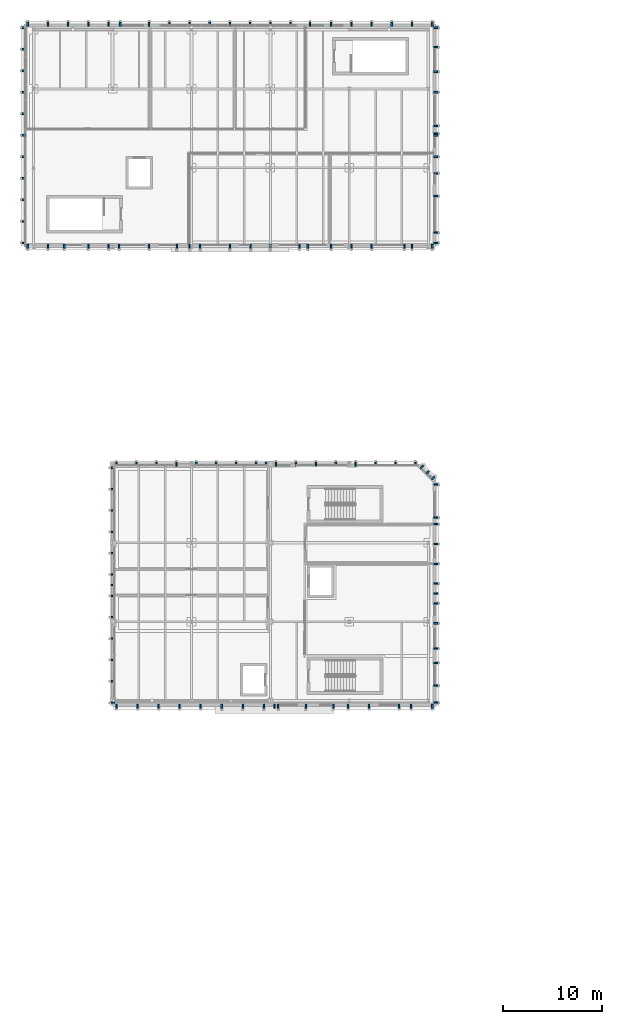
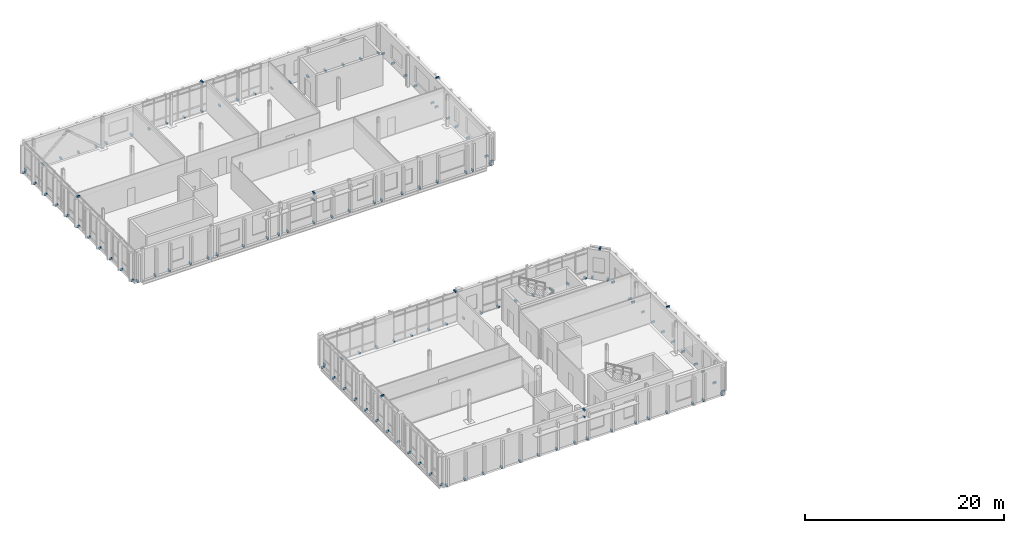
# One storey, part 32 of 40: 133 discrete accessories.
"""IFC4 building model written with IfcOpenShell, lengths in metres."""

from ifc_helpers import new_model, si_unit, direction, frame, origin, origin_2d, place, context, subcontext, project, spatial, rectangle, extrude, material, type_object, element, save


model = new_model("IFC4")

# Units and contexts
model_context = context("Model", 3, precision=1e-05, world=origin(), true_north=direction((0.0, 1.0)))
body_context = subcontext(model_context, "Body", "Model", "MODEL_VIEW")
ifc_project = project(units=[si_unit("LENGTHUNIT", "METRE"), si_unit("AREAUNIT", "SQUARE_METRE"), si_unit("VOLUMEUNIT", "CUBIC_METRE"), si_unit("PLANEANGLEUNIT", "RADIAN"), si_unit("MASSUNIT", "GRAM", prefix="KILO")], contexts=[model_context])

# Site, building, storey
site_placement = place(None, origin())
site = spatial("IfcSite", under=ifc_project, at=site_placement, CompositionType="ELEMENT")
building_placement = place(site_placement, origin())
building = spatial("IfcBuilding", under=site, at=building_placement, Name="Cymarion Research Institute", CompositionType="ELEMENT")
storey_placement = place(building_placement, frame((0.0, 0.0, 26.699951171875)))
storey = spatial("IfcBuildingStorey", under=building, at=storey_placement, Name="L06", CompositionType="ELEMENT", Elevation=26.699951171875)

# Discrete accessories
ifc_material = material(Name="Steel S355", Category="steel")
discrete_accessory_type = type_object("IfcDiscreteAccessoryType", Name="STAINLESS STEEL FACADE FIN BRACKET FBK1", PredefinedType="BRACKET", material=ifc_material)
discrete_accessory_1_placement = place(storey_placement, frame((31.0, 46.93994140625, 3.60009765625), z_axis=(0.0, 0.0, 1.0), x_axis=(0.0, -1.0, 0.0)))
element("IfcDiscreteAccessory", 1, at=discrete_accessory_1_placement, inside=storey, type_object=discrete_accessory_type, Name="L06 V4 spandrel brow anchor bracket #1102", PredefinedType="BRACKET", context=body_context, shape_type="SweptSolid", body=[
    extrude(rectangle(XDim=0.3798828125, YDim=0.159912109375, at=origin_2d()), origin(), (0.0, 0.0, 1.0), 0.199951171875),
])
for number, where, z_axis, x_axis, name in (
    (2, (15.0, 46.93994140625, -0.08984375), (0.0, 0.0, 1.0), (0.0, -1.0, 0.0), "L06 V4 vertical rib anchor bracket #1103"),
    (3, (17.13330078125, 46.93994140625, -0.08984375), (0.0, 0.0, 1.0), (0.0, -1.0, 0.0), "L06 V4 vertical rib anchor bracket #1104"),
    (4, (19.2666015625, 46.93994140625, -0.08984375), (0.0, 0.0, 1.0), (0.0, -1.0, 0.0), "L06 V4 vertical rib anchor bracket #1105"),
    (5, (21.39990234375, 46.93994140625, -0.08984375), (0.0, 0.0, 1.0), (0.0, -1.0, 0.0), "L06 V4 vertical rib anchor bracket #1106"),
    (6, (23.533203125, 46.93994140625, -0.08984375), (0.0, 0.0, 1.0), (0.0, -1.0, 0.0), "L06 V4 vertical rib anchor bracket #1107"),
    (7, (25.666748046875, 46.93994140625, -0.08984375), (0.0, 0.0, 1.0), (0.0, -1.0, 0.0), "L06 V4 vertical rib anchor bracket #1108"),
    (8, (27.800048828125, 46.93994140625, -0.08984375), (0.0, 0.0, 1.0), (0.0, -1.0, 0.0), "L06 V4 vertical rib anchor bracket #1109"),
    (9, (29.933349609375, 46.93994140625, -0.08984375), (0.0, 0.0, 1.0), (0.0, -1.0, 0.0), "L06 V4 vertical rib anchor bracket #1110"),
    (10, (31.3798828125, 46.93994140625, -0.08984375), (0.0, 0.0, 1.0), (0.0, -1.0, 0.0), "L06 V4 vertical rib anchor bracket #1111"),
    (11, (34.199951171875, 46.93994140625, -0.08984375), (0.0, 0.0, 1.0), (0.0, -1.0, 0.0), "L06 V4 vertical rib anchor bracket #1112"),
    (12, (36.97998046875, 46.93994140625, -0.08984375), (0.0, 0.0, 1.0), (0.0, -1.0, 0.0), "L06 V4 vertical rib anchor bracket #1113"),
    (13, (38.466796875, 46.93994140625, -0.08984375), (0.0, 0.0, 1.0), (0.0, -1.0, 0.0), "L06 V4 vertical rib anchor bracket #1114"),
    (14, (40.60009765625, 46.93994140625, -0.08984375), (0.0, 0.0, 1.0), (0.0, -1.0, 0.0), "L06 V4 vertical rib anchor bracket #1115"),
    (15, (43.64990234375, 46.93994140625, -0.08984375), (0.0, 0.0, 1.0), (0.0, -1.0, 0.0), "L06 V4 vertical rib anchor bracket #1116"),
    (16, (44.86669921875, 46.93994140625, -0.08984375), (0.0, 0.0, 1.0), (0.0, -1.0, 0.0), "L06 V4 vertical rib anchor bracket #1117"),
    (17, (47.0, 46.93994140625, -0.08984375), (0.0, 0.0, 1.0), (0.0, -1.0, 0.0), "L06 V4 vertical rib anchor bracket #1118"),
):
    element("IfcDiscreteAccessory", number, at=place(storey_placement, frame(where, z_axis=z_axis, x_axis=x_axis)), inside=storey, type_object=discrete_accessory_type, Name=name, PredefinedType="BRACKET", context=body_context, shape_type="SweptSolid", body=[
        extrude(rectangle(XDim=0.3798828125, YDim=0.159912109375, at=origin_2d()), origin(), (0.0, 0.0, 1.0), 0.219970703125),
    ])
discrete_accessory_2_placement = place(storey_placement, frame((31.0, 46.949951171875, 2.72998046875), z_axis=(0.0, 0.0, 1.0), x_axis=(0.0, -1.0, 0.0)))
element("IfcDiscreteAccessory", 18, at=discrete_accessory_2_placement, inside=storey, type_object=discrete_accessory_type, Name="L06 V4 sunshade anchor bracket #13", PredefinedType="BRACKET", context=body_context, shape_type="SweptSolid", body=[
    extrude(rectangle(XDim=0.3798828125, YDim=0.159912109375, at=origin_2d()), origin(), (0.0, 0.0, 1.0), 0.179931640625),
])
discrete_accessory_3_placement = place(storey_placement, frame((47.360107421875, 58.35009765625, 3.60009765625), z_axis=(0.0, 0.0, 1.0), x_axis=(1.0, 0.0, 0.0)))
element("IfcDiscreteAccessory", 19, at=discrete_accessory_3_placement, inside=storey, type_object=discrete_accessory_type, Name="L06 V4 spandrel brow anchor bracket #1119", PredefinedType="BRACKET", context=body_context, shape_type="SweptSolid", body=[
    extrude(rectangle(XDim=0.3798828125, YDim=0.159912109375, at=origin_2d()), origin(), (0.0, 0.0, 1.0), 0.199951171875),
])
for number, where, z_axis, x_axis, name in (
    (20, (47.360107421875, 47.300048828125, -0.08984375), (0.0, 0.0, 1.0), (1.0, 0.0, 0.0), "L06 V4 vertical rib anchor bracket #1120"),
    (21, (47.360107421875, 49.02001953125, -0.08984375), (0.0, 0.0, 1.0), (1.0, 0.0, 0.0), "L06 V4 vertical rib anchor bracket #1121"),
    (22, (47.360107421875, 51.318115234375, -0.08984375), (0.0, 0.0, 1.0), (1.0, 0.0, 0.0), "L06 V4 vertical rib anchor bracket #1122"),
    (23, (47.360107421875, 52.780029296875, -0.08984375), (0.0, 0.0, 1.0), (1.0, 0.0, 0.0), "L06 V4 vertical rib anchor bracket #1123"),
    (24, (47.360107421875, 55.33642578125, -0.08984375), (0.0, 0.0, 1.0), (1.0, 0.0, 0.0), "L06 V4 vertical rib anchor bracket #1124"),
    (25, (47.360107421875, 57.345458984375, -0.08984375), (0.0, 0.0, 1.0), (1.0, 0.0, 0.0), "L06 V4 vertical rib anchor bracket #1125"),
    (26, (47.360107421875, 59.3544921875, -0.08984375), (0.0, 0.0, 1.0), (1.0, 0.0, 0.0), "L06 V4 vertical rib anchor bracket #1126"),
    (27, (47.360107421875, 61.363525390625, -0.08984375), (0.0, 0.0, 1.0), (1.0, 0.0, 0.0), "L06 V4 vertical rib anchor bracket #1127"),
    (28, (47.360107421875, 63.372802734375, -0.08984375), (0.0, 0.0, 1.0), (1.0, 0.0, 0.0), "L06 V4 vertical rib anchor bracket #1128"),
    (29, (47.360107421875, 65.3818359375, -0.08984375), (0.0, 0.0, 1.0), (1.0, 0.0, 0.0), "L06 V4 vertical rib anchor bracket #1129"),
    (30, (47.360107421875, 66.054931640625, -0.08984375), (0.0, 0.0, 1.0), (1.0, 0.0, 0.0), "L06 V4 vertical rib anchor bracket #1130"),
    (31, (47.360107421875, 69.39990234375, -0.08984375), (0.0, 0.0, 1.0), (1.0, 0.0, 0.0), "L06 V4 vertical rib anchor bracket #1131"),
):
    element("IfcDiscreteAccessory", number, at=place(storey_placement, frame(where, z_axis=z_axis, x_axis=x_axis)), inside=storey, type_object=discrete_accessory_type, Name=name, PredefinedType="BRACKET", context=body_context, shape_type="SweptSolid", body=[
        extrude(rectangle(XDim=0.3798828125, YDim=0.159912109375, at=origin_2d()), origin(), (0.0, 0.0, 1.0), 0.219970703125),
    ])
discrete_accessory_4_placement = place(storey_placement, frame((46.521728515625, 70.62158203125, 3.60009765625), z_axis=(0.0, 0.0, 1.0), x_axis=(0.707106781187, 0.707106781187, 0.0)))
element("IfcDiscreteAccessory", 32, at=discrete_accessory_4_placement, inside=storey, type_object=discrete_accessory_type, Name="L06 V4 spandrel brow anchor bracket #1132", PredefinedType="BRACKET", context=body_context, shape_type="SweptSolid", body=[
    extrude(rectangle(XDim=0.3798828125, YDim=0.159912109375, at=origin_2d()), origin(), (0.0, 0.0, 1.0), 0.199951171875),
])
for number, where, z_axis, x_axis, name in (
    (33, (47.0888671875, 70.0546875, -0.08984375), (0.0, 0.0, 1.0), (0.707106781187, 0.707106781187, 0.0), "L06 V4 vertical rib anchor bracket #1133"),
    (34, (45.95458984375, 71.18896484375, -0.08984375), (0.0, 0.0, 1.0), (0.707106781187, 0.707106781187, 0.0), "L06 V4 vertical rib anchor bracket #1134"),
):
    element("IfcDiscreteAccessory", number, at=place(storey_placement, frame(where, z_axis=z_axis, x_axis=x_axis)), inside=storey, type_object=discrete_accessory_type, Name=name, PredefinedType="BRACKET", context=body_context, shape_type="SweptSolid", body=[
        extrude(rectangle(XDim=0.3798828125, YDim=0.159912109375, at=origin_2d()), origin(), (0.0, 0.0, 1.0), 0.219970703125),
    ])
discrete_accessory_5_placement = place(storey_placement, frame((30.14990234375, 71.4599609375, 3.60009765625), z_axis=(0.0, 0.0, 1.0), x_axis=(0.0, 1.0, 0.0)))
element("IfcDiscreteAccessory", 35, at=discrete_accessory_5_placement, inside=storey, type_object=discrete_accessory_type, Name="L06 V4 spandrel brow anchor bracket #1135", PredefinedType="BRACKET", context=body_context, shape_type="SweptSolid", body=[
    extrude(rectangle(XDim=0.3798828125, YDim=0.159912109375, at=origin_2d()), origin(), (0.0, 0.0, 1.0), 0.199951171875),
])
for number, where, z_axis, x_axis, name in (
    (36, (45.300048828125, 71.4599609375, -0.08984375), (0.0, 0.0, 1.0), (0.0, 1.0, 0.0), "L06 V4 vertical rib anchor bracket #1136"),
    (37, (43.280029296875, 71.4599609375, -0.08984375), (0.0, 0.0, 1.0), (0.0, 1.0, 0.0), "L06 V4 vertical rib anchor bracket #1137"),
    (38, (41.260009765625, 71.4599609375, -0.08984375), (0.0, 0.0, 1.0), (0.0, 1.0, 0.0), "L06 V4 vertical rib anchor bracket #1138"),
    (39, (39.239990234375, 71.4599609375, -0.08984375), (0.0, 0.0, 1.0), (0.0, 1.0, 0.0), "L06 V4 vertical rib anchor bracket #1139"),
    (40, (37.219970703125, 71.4599609375, -0.08984375), (0.0, 0.0, 1.0), (0.0, 1.0, 0.0), "L06 V4 vertical rib anchor bracket #1140"),
    (41, (35.199951171875, 71.4599609375, -0.08984375), (0.0, 0.0, 1.0), (0.0, 1.0, 0.0), "L06 V4 vertical rib anchor bracket #1141"),
    (42, (33.179931640625, 71.4599609375, -0.08984375), (0.0, 0.0, 1.0), (0.0, 1.0, 0.0), "L06 V4 vertical rib anchor bracket #1142"),
    (43, (31.159912109375, 71.4599609375, -0.08984375), (0.0, 0.0, 1.0), (0.0, 1.0, 0.0), "L06 V4 vertical rib anchor bracket #1143"),
    (44, (29.139892578125, 71.4599609375, -0.08984375), (0.0, 0.0, 1.0), (0.0, 1.0, 0.0), "L06 V4 vertical rib anchor bracket #1144"),
    (45, (27.1201171875, 71.4599609375, -0.08984375), (0.0, 0.0, 1.0), (0.0, 1.0, 0.0), "L06 V4 vertical rib anchor bracket #1145"),
    (46, (25.10009765625, 71.4599609375, -0.08984375), (0.0, 0.0, 1.0), (0.0, 1.0, 0.0), "L06 V4 vertical rib anchor bracket #1146"),
    (47, (23.080078125, 71.4599609375, -0.08984375), (0.0, 0.0, 1.0), (0.0, 1.0, 0.0), "L06 V4 vertical rib anchor bracket #1147"),
    (48, (21.06005859375, 71.4599609375, -0.08984375), (0.0, 0.0, 1.0), (0.0, 1.0, 0.0), "L06 V4 vertical rib anchor bracket #1148"),
    (49, (19.0400390625, 71.4599609375, -0.08984375), (0.0, 0.0, 1.0), (0.0, 1.0, 0.0), "L06 V4 vertical rib anchor bracket #1149"),
    (50, (17.02001953125, 71.4599609375, -0.08984375), (0.0, 0.0, 1.0), (0.0, 1.0, 0.0), "L06 V4 vertical rib anchor bracket #1150"),
    (51, (15.0, 71.4599609375, -0.08984375), (0.0, 0.0, 1.0), (0.0, 1.0, 0.0), "L06 V4 vertical rib anchor bracket #1151"),
):
    element("IfcDiscreteAccessory", number, at=place(storey_placement, frame(where, z_axis=z_axis, x_axis=x_axis)), inside=storey, type_object=discrete_accessory_type, Name=name, PredefinedType="BRACKET", context=body_context, shape_type="SweptSolid", body=[
        extrude(rectangle(XDim=0.3798828125, YDim=0.159912109375, at=origin_2d()), origin(), (0.0, 0.0, 1.0), 0.219970703125),
    ])
discrete_accessory_6_placement = place(storey_placement, frame((14.639892578125, 59.199951171875, 3.60009765625), z_axis=(0.0, 0.0, 1.0), x_axis=(-1.0, 0.0, 0.0)))
element("IfcDiscreteAccessory", 52, at=discrete_accessory_6_placement, inside=storey, type_object=discrete_accessory_type, Name="L06 V4 spandrel brow anchor bracket #1152", PredefinedType="BRACKET", context=body_context, shape_type="SweptSolid", body=[
    extrude(rectangle(XDim=0.3798828125, YDim=0.159912109375, at=origin_2d()), origin(), (0.0, 0.0, 1.0), 0.199951171875),
])
for number, where, z_axis, x_axis, name in (
    (53, (14.639892578125, 71.10009765625, -0.08984375), (0.0, 0.0, 1.0), (-1.0, 0.0, 0.0), "L06 V4 vertical rib anchor bracket #1153"),
    (54, (14.639892578125, 68.936279296875, -0.08984375), (0.0, 0.0, 1.0), (-1.0, 0.0, 0.0), "L06 V4 vertical rib anchor bracket #1154"),
    (55, (14.639892578125, 66.772705078125, -0.08984375), (0.0, 0.0, 1.0), (-1.0, 0.0, 0.0), "L06 V4 vertical rib anchor bracket #1155"),
    (56, (14.639892578125, 64.609130859375, -0.08984375), (0.0, 0.0, 1.0), (-1.0, 0.0, 0.0), "L06 V4 vertical rib anchor bracket #1156"),
    (57, (14.639892578125, 62.445556640625, -0.08984375), (0.0, 0.0, 1.0), (-1.0, 0.0, 0.0), "L06 V4 vertical rib anchor bracket #1157"),
    (58, (14.639892578125, 60.28173828125, -0.08984375), (0.0, 0.0, 1.0), (-1.0, 0.0, 0.0), "L06 V4 vertical rib anchor bracket #1158"),
    (59, (14.639892578125, 58.1181640625, -0.08984375), (0.0, 0.0, 1.0), (-1.0, 0.0, 0.0), "L06 V4 vertical rib anchor bracket #1159"),
    (60, (14.639892578125, 55.95458984375, -0.08984375), (0.0, 0.0, 1.0), (-1.0, 0.0, 0.0), "L06 V4 vertical rib anchor bracket #1160"),
    (61, (14.639892578125, 53.791015625, -0.08984375), (0.0, 0.0, 1.0), (-1.0, 0.0, 0.0), "L06 V4 vertical rib anchor bracket #1161"),
    (62, (14.639892578125, 51.627197265625, -0.08984375), (0.0, 0.0, 1.0), (-1.0, 0.0, 0.0), "L06 V4 vertical rib anchor bracket #1162"),
    (63, (14.639892578125, 49.463623046875, -0.08984375), (0.0, 0.0, 1.0), (-1.0, 0.0, 0.0), "L06 V4 vertical rib anchor bracket #1163"),
    (64, (14.639892578125, 47.300048828125, -0.08984375), (0.0, 0.0, 1.0), (-1.0, 0.0, 0.0), "L06 V4 vertical rib anchor bracket #1164"),
):
    element("IfcDiscreteAccessory", number, at=place(storey_placement, frame(where, z_axis=z_axis, x_axis=x_axis)), inside=storey, type_object=discrete_accessory_type, Name=name, PredefinedType="BRACKET", context=body_context, shape_type="SweptSolid", body=[
        extrude(rectangle(XDim=0.3798828125, YDim=0.159912109375, at=origin_2d()), origin(), (0.0, 0.0, 1.0), 0.219970703125),
    ])
discrete_accessory_7_placement = place(storey_placement, frame((26.5, 93.5400390625, 3.580078125), z_axis=(0.0, 0.0, 1.0), x_axis=(0.0, -1.0, 0.0)))
element("IfcDiscreteAccessory", 65, at=discrete_accessory_7_placement, inside=storey, type_object=discrete_accessory_type, Name="L06 V5 spandrel brow anchor bracket #1165", PredefinedType="BRACKET", context=body_context, shape_type="SweptSolid", body=[
    extrude(rectangle(XDim=0.3798828125, YDim=0.159912109375, at=origin_2d()), origin(), (0.0, 0.0, 1.0), 0.199951171875),
])
for number, where, z_axis, x_axis, name in (
    (66, (6.0, 93.5400390625, -0.08984375), (0.0, 0.0, 1.0), (0.0, -1.0, 0.0), "L06 V5 vertical rib anchor bracket #1166"),
    (67, (8.050048828125, 93.5400390625, -0.08984375), (0.0, 0.0, 1.0), (0.0, -1.0, 0.0), "L06 V5 vertical rib anchor bracket #1167"),
    (68, (9.699951171875, 93.5400390625, -0.08984375), (0.0, 0.0, 1.0), (0.0, -1.0, 0.0), "L06 V5 vertical rib anchor bracket #1168"),
    (69, (12.14990234375, 93.5400390625, -0.08984375), (0.0, 0.0, 1.0), (0.0, -1.0, 0.0), "L06 V5 vertical rib anchor bracket #1169"),
    (70, (14.199951171875, 93.5400390625, -0.08984375), (0.0, 0.0, 1.0), (0.0, -1.0, 0.0), "L06 V5 vertical rib anchor bracket #1170"),
    (71, (15.27001953125, 93.5400390625, -0.08984375), (0.0, 0.0, 1.0), (0.0, -1.0, 0.0), "L06 V5 vertical rib anchor bracket #1171"),
    (72, (18.300048828125, 93.5400390625, -0.08984375), (0.0, 0.0, 1.0), (0.0, -1.0, 0.0), "L06 V5 vertical rib anchor bracket #1172"),
    (73, (21.110107421875, 93.5400390625, -0.08984375), (0.0, 0.0, 1.0), (0.0, -1.0, 0.0), "L06 V5 vertical rib anchor bracket #1173"),
    (74, (22.39990234375, 93.5400390625, -0.08984375), (0.0, 0.0, 1.0), (0.0, -1.0, 0.0), "L06 V5 vertical rib anchor bracket #1174"),
    (75, (23.469970703125, 93.5400390625, -0.08984375), (0.0, 0.0, 1.0), (0.0, -1.0, 0.0), "L06 V5 vertical rib anchor bracket #1175"),
    (76, (26.5, 93.5400390625, -0.08984375), (0.0, 0.0, 1.0), (0.0, -1.0, 0.0), "L06 V5 vertical rib anchor bracket #1176"),
    (77, (28.60009765625, 93.5400390625, -0.08984375), (0.0, 0.0, 1.0), (0.0, -1.0, 0.0), "L06 V5 vertical rib anchor bracket #1177"),
    (78, (30.60009765625, 93.5400390625, -0.08984375), (0.0, 0.0, 1.0), (0.0, -1.0, 0.0), "L06 V5 vertical rib anchor bracket #1178"),
    (79, (33.530029296875, 93.5400390625, -0.08984375), (0.0, 0.0, 1.0), (0.0, -1.0, 0.0), "L06 V5 vertical rib anchor bracket #1179"),
    (80, (34.385009765625, 93.5400390625, -0.08984375), (0.0, 0.0, 1.0), (0.0, -1.0, 0.0), "L06 V5 vertical rib anchor bracket #1180"),
    (81, (36.75, 93.5400390625, -0.08984375), (0.0, 0.0, 1.0), (0.0, -1.0, 0.0), "L06 V5 vertical rib anchor bracket #1181"),
    (82, (38.800048828125, 93.5400390625, -0.08984375), (0.0, 0.0, 1.0), (0.0, -1.0, 0.0), "L06 V5 vertical rib anchor bracket #1182"),
    (83, (40.85009765625, 93.5400390625, -0.08984375), (0.0, 0.0, 1.0), (0.0, -1.0, 0.0), "L06 V5 vertical rib anchor bracket #1183"),
    (84, (44.175048828125, 93.5400390625, -0.08984375), (0.0, 0.0, 1.0), (0.0, -1.0, 0.0), "L06 V5 vertical rib anchor bracket #1184"),
    (85, (44.949951171875, 93.5400390625, -0.08984375), (0.0, 0.0, 1.0), (0.0, -1.0, 0.0), "L06 V5 vertical rib anchor bracket #1185"),
    (86, (47.0, 93.5400390625, -0.08984375), (0.0, 0.0, 1.0), (0.0, -1.0, 0.0), "L06 V5 vertical rib anchor bracket #1186"),
):
    element("IfcDiscreteAccessory", number, at=place(storey_placement, frame(where, z_axis=z_axis, x_axis=x_axis)), inside=storey, type_object=discrete_accessory_type, Name=name, PredefinedType="BRACKET", context=body_context, shape_type="SweptSolid", body=[
        extrude(rectangle(XDim=0.3798828125, YDim=0.159912109375, at=origin_2d()), origin(), (0.0, 0.0, 1.0), 0.219970703125),
    ])
discrete_accessory_8_placement = place(storey_placement, frame((26.5, 93.550048828125, 2.72998046875), z_axis=(0.0, 0.0, 1.0), x_axis=(0.0, -1.0, 0.0)))
element("IfcDiscreteAccessory", 87, at=discrete_accessory_8_placement, inside=storey, type_object=discrete_accessory_type, Name="L06 V5 sunshade anchor bracket #14", PredefinedType="BRACKET", context=body_context, shape_type="SweptSolid", body=[
    extrude(rectangle(XDim=0.3798828125, YDim=0.159912109375, at=origin_2d()), origin(), (0.0, 0.0, 1.0), 0.179931640625),
])
discrete_accessory_9_placement = place(storey_placement, frame((47.360107421875, 104.800048828125, 3.580078125), z_axis=(0.0, 0.0, 1.0), x_axis=(1.0, 0.0, 0.0)))
element("IfcDiscreteAccessory", 88, at=discrete_accessory_9_placement, inside=storey, type_object=discrete_accessory_type, Name="L06 V5 spandrel brow anchor bracket #1187", PredefinedType="BRACKET", context=body_context, shape_type="SweptSolid", body=[
    extrude(rectangle(XDim=0.3798828125, YDim=0.159912109375, at=origin_2d()), origin(), (0.0, 0.0, 1.0), 0.199951171875),
])
for number, where, z_axis, x_axis, name in (
    (89, (47.360107421875, 93.89990234375, -0.08984375), (0.0, 0.0, 1.0), (1.0, 0.0, 0.0), "L06 V5 vertical rib anchor bracket #1188"),
    (90, (47.360107421875, 94.930908203125, -0.08984375), (0.0, 0.0, 1.0), (1.0, 0.0, 0.0), "L06 V5 vertical rib anchor bracket #1189"),
    (91, (47.360107421875, 98.631103515625, -0.08984375), (0.0, 0.0, 1.0), (1.0, 0.0, 0.0), "L06 V5 vertical rib anchor bracket #1190"),
    (92, (47.360107421875, 100.929931640625, -0.08984375), (0.0, 0.0, 1.0), (1.0, 0.0, 0.0), "L06 V5 vertical rib anchor bracket #1191"),
    (93, (47.360107421875, 102.6201171875, -0.08984375), (0.0, 0.0, 1.0), (1.0, 0.0, 0.0), "L06 V5 vertical rib anchor bracket #1192"),
    (94, (47.360107421875, 104.949951171875, -0.08984375), (0.0, 0.0, 1.0), (1.0, 0.0, 0.0), "L06 V5 vertical rib anchor bracket #1193"),
    (95, (47.360107421875, 105.7548828125, -0.08984375), (0.0, 0.0, 1.0), (1.0, 0.0, 0.0), "L06 V5 vertical rib anchor bracket #1194"),
    (96, (47.360107421875, 109.159912109375, -0.08984375), (0.0, 0.0, 1.0), (1.0, 0.0, 0.0), "L06 V5 vertical rib anchor bracket #1195"),
    (97, (47.360107421875, 111.239990234375, -0.08984375), (0.0, 0.0, 1.0), (1.0, 0.0, 0.0), "L06 V5 vertical rib anchor bracket #1196"),
    (98, (47.360107421875, 113.739990234375, -0.08984375), (0.0, 0.0, 1.0), (1.0, 0.0, 0.0), "L06 V5 vertical rib anchor bracket #1197"),
    (99, (47.360107421875, 115.699951171875, -0.08984375), (0.0, 0.0, 1.0), (1.0, 0.0, 0.0), "L06 V5 vertical rib anchor bracket #1198"),
):
    element("IfcDiscreteAccessory", number, at=place(storey_placement, frame(where, z_axis=z_axis, x_axis=x_axis)), inside=storey, type_object=discrete_accessory_type, Name=name, PredefinedType="BRACKET", context=body_context, shape_type="SweptSolid", body=[
        extrude(rectangle(XDim=0.3798828125, YDim=0.159912109375, at=origin_2d()), origin(), (0.0, 0.0, 1.0), 0.219970703125),
    ])
discrete_accessory_10_placement = place(storey_placement, frame((26.5, 116.06005859375, 3.580078125), z_axis=(0.0, 0.0, 1.0), x_axis=(0.0, 1.0, 0.0)))
element("IfcDiscreteAccessory", 100, at=discrete_accessory_10_placement, inside=storey, type_object=discrete_accessory_type, Name="L06 V5 spandrel brow anchor bracket #1199", PredefinedType="BRACKET", context=body_context, shape_type="SweptSolid", body=[
    extrude(rectangle(XDim=0.3798828125, YDim=0.159912109375, at=origin_2d()), origin(), (0.0, 0.0, 1.0), 0.199951171875),
])
for number, where, z_axis, x_axis, name in (
    (101, (47.0, 116.06005859375, -0.08984375), (0.0, 0.0, 1.0), (0.0, 1.0, 0.0), "L06 V5 vertical rib anchor bracket #1200"),
    (102, (44.949951171875, 116.06005859375, -0.08984375), (0.0, 0.0, 1.0), (0.0, 1.0, 0.0), "L06 V5 vertical rib anchor bracket #1201"),
    (103, (42.89990234375, 116.06005859375, -0.08984375), (0.0, 0.0, 1.0), (0.0, 1.0, 0.0), "L06 V5 vertical rib anchor bracket #1202"),
    (104, (40.85009765625, 116.06005859375, -0.08984375), (0.0, 0.0, 1.0), (0.0, 1.0, 0.0), "L06 V5 vertical rib anchor bracket #1203"),
    (105, (38.800048828125, 116.06005859375, -0.08984375), (0.0, 0.0, 1.0), (0.0, 1.0, 0.0), "L06 V5 vertical rib anchor bracket #1204"),
    (106, (36.75, 116.06005859375, -0.08984375), (0.0, 0.0, 1.0), (0.0, 1.0, 0.0), "L06 V5 vertical rib anchor bracket #1205"),
    (107, (34.610107421875, 116.06005859375, -0.08984375), (0.0, 0.0, 1.0), (0.0, 1.0, 0.0), "L06 V5 vertical rib anchor bracket #1206"),
    (108, (32.64990234375, 116.06005859375, -0.08984375), (0.0, 0.0, 1.0), (0.0, 1.0, 0.0), "L06 V5 vertical rib anchor bracket #1207"),
    (109, (30.60009765625, 116.06005859375, -0.08984375), (0.0, 0.0, 1.0), (0.0, 1.0, 0.0), "L06 V5 vertical rib anchor bracket #1208"),
    (110, (28.550048828125, 116.06005859375, -0.08984375), (0.0, 0.0, 1.0), (0.0, 1.0, 0.0), "L06 V5 vertical rib anchor bracket #1209"),
    (111, (26.5, 116.06005859375, -0.08984375), (0.0, 0.0, 1.0), (0.0, 1.0, 0.0), "L06 V5 vertical rib anchor bracket #1210"),
    (112, (24.449951171875, 116.06005859375, -0.08984375), (0.0, 0.0, 1.0), (0.0, 1.0, 0.0), "L06 V5 vertical rib anchor bracket #1211"),
    (113, (22.39990234375, 116.06005859375, -0.08984375), (0.0, 0.0, 1.0), (0.0, 1.0, 0.0), "L06 V5 vertical rib anchor bracket #1212"),
    (114, (20.35009765625, 116.06005859375, -0.08984375), (0.0, 0.0, 1.0), (0.0, 1.0, 0.0), "L06 V5 vertical rib anchor bracket #1213"),
    (115, (18.300048828125, 116.06005859375, -0.08984375), (0.0, 0.0, 1.0), (0.0, 1.0, 0.0), "L06 V5 vertical rib anchor bracket #1214"),
    (116, (15.3798828125, 116.06005859375, -0.08984375), (0.0, 0.0, 1.0), (0.0, 1.0, 0.0), "L06 V5 vertical rib anchor bracket #1215"),
    (117, (14.199951171875, 116.06005859375, -0.08984375), (0.0, 0.0, 1.0), (0.0, 1.0, 0.0), "L06 V5 vertical rib anchor bracket #1216"),
    (118, (12.14990234375, 116.06005859375, -0.08984375), (0.0, 0.0, 1.0), (0.0, 1.0, 0.0), "L06 V5 vertical rib anchor bracket #1217"),
    (119, (10.10009765625, 116.06005859375, -0.08984375), (0.0, 0.0, 1.0), (0.0, 1.0, 0.0), "L06 V5 vertical rib anchor bracket #1218"),
    (120, (8.050048828125, 116.06005859375, -0.08984375), (0.0, 0.0, 1.0), (0.0, 1.0, 0.0), "L06 V5 vertical rib anchor bracket #1219"),
    (121, (6.0, 116.06005859375, -0.08984375), (0.0, 0.0, 1.0), (0.0, 1.0, 0.0), "L06 V5 vertical rib anchor bracket #1220"),
):
    element("IfcDiscreteAccessory", number, at=place(storey_placement, frame(where, z_axis=z_axis, x_axis=x_axis)), inside=storey, type_object=discrete_accessory_type, Name=name, PredefinedType="BRACKET", context=body_context, shape_type="SweptSolid", body=[
        extrude(rectangle(XDim=0.3798828125, YDim=0.159912109375, at=origin_2d()), origin(), (0.0, 0.0, 1.0), 0.219970703125),
    ])
discrete_accessory_11_placement = place(storey_placement, frame((5.639892578125, 104.800048828125, 3.580078125), z_axis=(0.0, 0.0, 1.0), x_axis=(-1.0, 0.0, 0.0)))
element("IfcDiscreteAccessory", 122, at=discrete_accessory_11_placement, inside=storey, type_object=discrete_accessory_type, Name="L06 V5 spandrel brow anchor bracket #1221", PredefinedType="BRACKET", context=body_context, shape_type="SweptSolid", body=[
    extrude(rectangle(XDim=0.3798828125, YDim=0.159912109375, at=origin_2d()), origin(), (0.0, 0.0, 1.0), 0.199951171875),
])
for number, where, z_axis, x_axis, name in (
    (123, (5.639892578125, 115.699951171875, -0.08984375), (0.0, 0.0, 1.0), (-1.0, 0.0, 0.0), "L06 V5 vertical rib anchor bracket #1222"),
    (124, (5.639892578125, 113.52001953125, -0.08984375), (0.0, 0.0, 1.0), (-1.0, 0.0, 0.0), "L06 V5 vertical rib anchor bracket #1223"),
    (125, (5.639892578125, 111.340087890625, -0.08984375), (0.0, 0.0, 1.0), (-1.0, 0.0, 0.0), "L06 V5 vertical rib anchor bracket #1224"),
    (126, (5.639892578125, 109.159912109375, -0.08984375), (0.0, 0.0, 1.0), (-1.0, 0.0, 0.0), "L06 V5 vertical rib anchor bracket #1225"),
    (127, (5.639892578125, 106.97998046875, -0.08984375), (0.0, 0.0, 1.0), (-1.0, 0.0, 0.0), "L06 V5 vertical rib anchor bracket #1226"),
    (128, (5.639892578125, 104.800048828125, -0.08984375), (0.0, 0.0, 1.0), (-1.0, 0.0, 0.0), "L06 V5 vertical rib anchor bracket #1227"),
    (129, (5.639892578125, 102.6201171875, -0.08984375), (0.0, 0.0, 1.0), (-1.0, 0.0, 0.0), "L06 V5 vertical rib anchor bracket #1228"),
    (130, (5.639892578125, 100.43994140625, -0.08984375), (0.0, 0.0, 1.0), (-1.0, 0.0, 0.0), "L06 V5 vertical rib anchor bracket #1229"),
    (131, (5.639892578125, 98.260009765625, -0.08984375), (0.0, 0.0, 1.0), (-1.0, 0.0, 0.0), "L06 V5 vertical rib anchor bracket #1230"),
    (132, (5.639892578125, 96.080078125, -0.08984375), (0.0, 0.0, 1.0), (-1.0, 0.0, 0.0), "L06 V5 vertical rib anchor bracket #1231"),
    (133, (5.639892578125, 93.89990234375, -0.08984375), (0.0, 0.0, 1.0), (-1.0, 0.0, 0.0), "L06 V5 vertical rib anchor bracket #1232"),
):
    element("IfcDiscreteAccessory", number, at=place(storey_placement, frame(where, z_axis=z_axis, x_axis=x_axis)), inside=storey, type_object=discrete_accessory_type, Name=name, PredefinedType="BRACKET", context=body_context, shape_type="SweptSolid", body=[
        extrude(rectangle(XDim=0.3798828125, YDim=0.159912109375, at=origin_2d()), origin(), (0.0, 0.0, 1.0), 0.219970703125),
    ])

save(model, "model.ifc")
